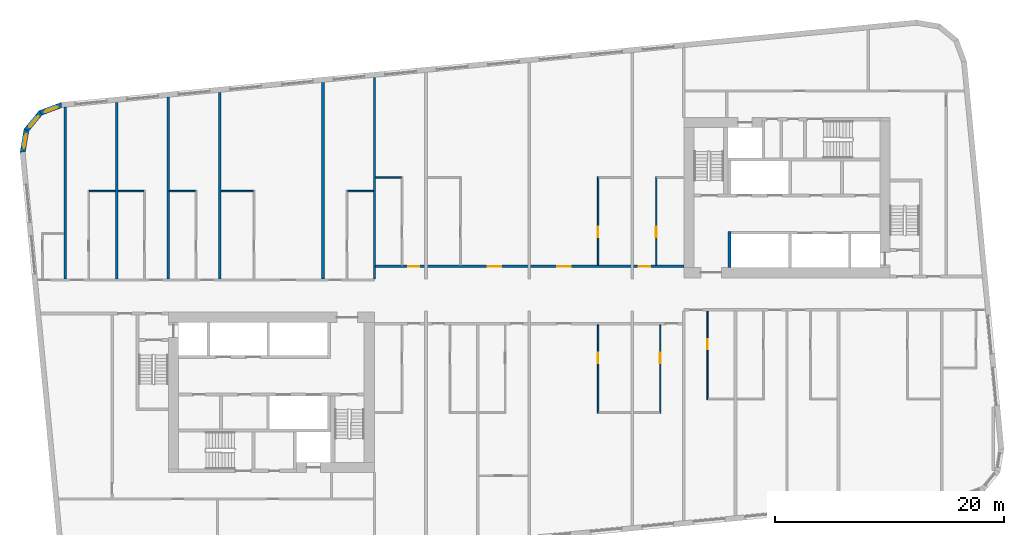
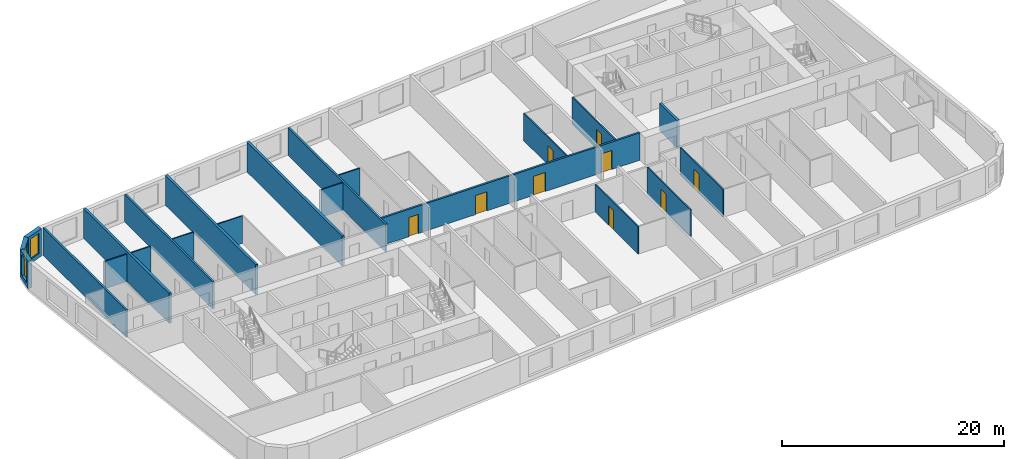
# One storey, part 5 of 12: 22 walls, 9 doors, 3 windows, 12 openings.
"""IFC4 building model written with IfcOpenShell, lengths in metres."""

from ifc_helpers import new_model, si_unit, direction, frame, frame_2d, origin, place, context, subcontext, project, spatial, polyline, rectangle, outline, extrude, material, layer, layer_set, type_object, element, fill, save


model = new_model("IFC4")

# Units and contexts
model_context = context("Model", 3, precision=1e-05, world=origin(), true_north=direction((0.0, 1.0)))
body_context = subcontext(model_context, "Body", "Model", "MODEL_VIEW")
ifc_project = project(units=[si_unit("LENGTHUNIT", "METRE"), si_unit("AREAUNIT", "SQUARE_METRE"), si_unit("VOLUMEUNIT", "CUBIC_METRE"), si_unit("PLANEANGLEUNIT", "RADIAN"), si_unit("MASSUNIT", "GRAM", prefix="KILO")], contexts=[model_context])

# Site, building, storey
site_placement = place(None, origin())
site = spatial("IfcSite", under=ifc_project, at=site_placement, CompositionType="ELEMENT")
building_placement = place(site_placement, origin())
building = spatial("IfcBuilding", under=site, at=building_placement, Name="Kajstack Hotel Tower", CompositionType="ELEMENT")
storey_placement = place(building_placement, frame((0.0, 0.0, 199.89990234375)))
storey = spatial("IfcBuildingStorey", under=building, at=storey_placement, Name="L48", CompositionType="ELEMENT", Elevation=199.89990234375)

# Wall, openings, doors
ifc_material_1 = material(Name="Gypsum board on steel studs, mineral wool", Category="steel")
ifc_layer_1 = layer(ifc_material_1, 0.199951171875)
ifc_layer_set_1 = layer_set([ifc_layer_1], Name="Corridor wall 200")
wall_type_1 = type_object("IfcWallType", Name="Corridor wall 200", PredefinedType="PARTITIONING", material=ifc_layer_set_1)
wall_1_placement = place(storey_placement, frame((-13.5, 2.5, 0.0), z_axis=(0.0, 0.0, 1.0), x_axis=(1.0, 0.0, 0.0)))
wall_1 = element("IfcWall", 1, at=wall_1_placement, inside=storey, type_object=wall_type_1, Name="G-wall-L48-004", PredefinedType="PARTITIONING", context=body_context, shape_type="SweptSolid", body=[
    extrude(rectangle(XDim=27.0, YDim=0.199951171875, at=frame_2d((13.5, 0.0))), origin(), (0.0, 0.0, 1.0), 3.02001953125),
])
opening_1_placement = place(wall_1_placement, frame((2.925048828125, 0.0, 0.0)))
opening_1 = element("IfcOpeningElement", 2, at=opening_1_placement, cuts=wall_1, Name="Opening 48013", PredefinedType="OPENING", context=body_context, shape_type="SweptSolid", body=[
    extrude(rectangle(XDim=1.0, YDim=2.10009765625, at=frame_2d((0.5, 1.050048828125))), frame((0.0, 0.10986328125, 0.0), z_axis=(0.0, -1.0, 0.0), x_axis=(1.0, 0.0, 0.0)), (0.0, 0.0, 1.0), 0.219970703125),
])
opening_2_placement = place(wall_1_placement, frame((9.863037109375, 0.0, 0.0)))
opening_2 = element("IfcOpeningElement", 3, at=opening_2_placement, cuts=wall_1, Name="Opening 48015", PredefinedType="OPENING", context=body_context, shape_type="SweptSolid", body=[
    extrude(rectangle(XDim=1.199951171875, YDim=2.10009765625, at=frame_2d((0.60009765625, 1.050048828125))), frame((0.0, 0.10986328125, 0.0), z_axis=(0.0, -1.0, 0.0), x_axis=(1.0, 0.0, 0.0)), (0.0, 0.0, 1.0), 0.219970703125),
])
opening_3_placement = place(wall_1_placement, frame((15.93798828125, 0.0, 0.0)))
opening_3 = element("IfcOpeningElement", 4, at=opening_3_placement, cuts=wall_1, Name="Opening 48017", PredefinedType="OPENING", context=body_context, shape_type="SweptSolid", body=[
    extrude(rectangle(XDim=1.199951171875, YDim=2.10009765625, at=frame_2d((0.60009765625, 1.050048828125))), frame((0.0, 0.10986328125, 0.0), z_axis=(0.0, -1.0, 0.0), x_axis=(1.0, 0.0, 0.0)), (0.0, 0.0, 1.0), 0.219970703125),
])
opening_4_placement = place(wall_1_placement, frame((23.074951171875, 0.0, 0.0)))
opening_4 = element("IfcOpeningElement", 5, at=opening_4_placement, cuts=wall_1, Name="Opening 48019", PredefinedType="OPENING", context=body_context, shape_type="SweptSolid", body=[
    extrude(rectangle(XDim=1.0, YDim=2.10009765625, at=frame_2d((0.5, 1.050048828125))), frame((0.0, 0.10986328125, 0.0), z_axis=(0.0, -1.0, 0.0), x_axis=(1.0, 0.0, 0.0)), (0.0, 0.0, 1.0), 0.219970703125),
])
ifc_material_2 = material(Name="Oak veneer on timber core, fire-rated leaf", Category="wood")
door_type_1 = type_object("IfcDoorType", Name="Flat entrance door 1000", OperationType="SINGLE_SWING_LEFT", PredefinedType="DOOR", material=ifc_material_2)
door_1_placement = place(opening_1_placement, origin())
door_1 = element("IfcDoor", 6, at=door_1_placement, inside=storey, type_object=door_type_1, Name="G-door-L48-13", OperationType="SINGLE_SWING_RIGHT", OverallHeight=2.10009765625, OverallWidth=1.0, PredefinedType="DOOR", context=body_context, shape_type="SweptSolid", body=[
    extrude(rectangle(XDim=1.0, YDim=2.10009765625, at=frame_2d((0.5, 1.050048828125))), frame((0.0, 0.02490234375, 0.0), z_axis=(0.0, -1.0, 0.0), x_axis=(1.0, 0.0, 0.0)), (0.0, 0.0, 1.0), 0.050048828125),
])
fill(opening_1, door_1)
door_2_placement = place(opening_4_placement, origin())
door_2 = element("IfcDoor", 7, at=door_2_placement, inside=storey, type_object=door_type_1, Name="G-door-L48-19", OperationType="SINGLE_SWING_RIGHT", OverallHeight=2.10009765625, OverallWidth=1.0, PredefinedType="DOOR", context=body_context, shape_type="SweptSolid", body=[
    extrude(rectangle(XDim=1.0, YDim=2.10009765625, at=frame_2d((0.5, 1.050048828125))), frame((0.0, 0.02490234375, 0.0), z_axis=(0.0, -1.0, 0.0), x_axis=(1.0, 0.0, 0.0)), (0.0, 0.0, 1.0), 0.050048828125),
])
fill(opening_4, door_2)
door_type_2 = type_object("IfcDoorType", Name="Flat entrance door 1200", OperationType="SINGLE_SWING_LEFT", PredefinedType="DOOR", material=ifc_material_2)
door_3_placement = place(opening_2_placement, origin())
door_3 = element("IfcDoor", 8, at=door_3_placement, inside=storey, type_object=door_type_2, Name="G-door-L48-15", OperationType="SINGLE_SWING_RIGHT", OverallHeight=2.10009765625, OverallWidth=1.199951171875, PredefinedType="DOOR", context=body_context, shape_type="SweptSolid", body=[
    extrude(rectangle(XDim=1.199951171875, YDim=2.10009765625, at=frame_2d((0.60009765625, 1.050048828125))), frame((0.0, 0.02490234375, 0.0), z_axis=(0.0, -1.0, 0.0), x_axis=(1.0, 0.0, 0.0)), (0.0, 0.0, 1.0), 0.050048828125),
])
fill(opening_2, door_3)
door_4_placement = place(opening_3_placement, origin())
door_4 = element("IfcDoor", 9, at=door_4_placement, inside=storey, type_object=door_type_2, Name="G-door-L48-17", OperationType="SINGLE_SWING_RIGHT", OverallHeight=2.10009765625, OverallWidth=1.199951171875, PredefinedType="DOOR", context=body_context, shape_type="SweptSolid", body=[
    extrude(rectangle(XDim=1.199951171875, YDim=2.10009765625, at=frame_2d((0.60009765625, 1.050048828125))), frame((0.0, 0.02490234375, 0.0), z_axis=(0.0, -1.0, 0.0), x_axis=(1.0, 0.0, 0.0)), (0.0, 0.0, 1.0), 0.050048828125),
])
fill(opening_3, door_4)

# Walls
ifc_material_3 = material(Name="Twin-frame gypsum board on steel studs, mineral wool", Category="steel")
ifc_layer_2 = layer(ifc_material_3, 0.199951171875)
ifc_layer_set_2 = layer_set([ifc_layer_2], Name="Demising wall 200")
wall_type_2 = type_object("IfcWallType", Name="Demising wall 200", PredefinedType="PARTITIONING", material=ifc_layer_set_2)
wall_2_placement = place(storey_placement, frame((-40.5, 1.39990234375, 0.0), z_axis=(0.0, 0.0, 1.0), x_axis=(0.0, 1.0, 0.0)))
element("IfcWall", 10, at=wall_2_placement, inside=storey, type_object=wall_type_2, Name="G-wall-L48-005", PredefinedType="PARTITIONING", context=body_context, shape_type="SweptSolid", body=[
    extrude(rectangle(XDim=14.989990234375, YDim=0.199951171875, at=frame_2d((7.4951171875, 0.0))), origin(), (0.0, 0.0, 1.0), 3.02001953125),
])
wall_3_placement = place(storey_placement, frame((-31.5, 1.39990234375, 0.0), z_axis=(0.0, 0.0, 1.0), x_axis=(0.0, 1.0, 0.0)))
element("IfcWall", 11, at=wall_3_placement, inside=storey, type_object=wall_type_2, Name="G-wall-L48-010", PredefinedType="PARTITIONING", context=body_context, shape_type="SweptSolid", body=[
    extrude(rectangle(XDim=15.856201171875, YDim=0.199951171875, at=frame_2d((7.92822265625, 0.0))), origin(), (0.0, 0.0, 1.0), 3.02001953125),
])
wall_4_placement = place(storey_placement, frame((-13.5, 1.39990234375, 0.0), z_axis=(0.0, 0.0, 1.0), x_axis=(0.0, 1.0, 0.0)))
element("IfcWall", 12, at=wall_4_placement, inside=storey, type_object=wall_type_2, Name="G-wall-L48-017", PredefinedType="PARTITIONING", context=body_context, shape_type="SweptSolid", body=[
    extrude(rectangle(XDim=17.590087890625, YDim=0.199951171875, at=frame_2d((8.794921875, 0.0))), origin(), (0.0, 0.0, 1.0), 3.02001953125),
])

# Wall, opening, window
ifc_material_4 = material(Name="Terracotta-faced brick masonry", Category="masonry")
ifc_layer_3 = layer(ifc_material_4, 0.449951171875)
ifc_layer_set_3 = layer_set([ifc_layer_3], Name="EW-TERRA")
wall_type_3 = type_object("IfcWallType", Name="EW-TERRA", PredefinedType="SOLIDWALL", material=ifc_layer_set_3)
wall_5_placement = place(storey_placement, frame((-40.76123046875, 16.598388671875, 0.0), z_axis=(0.0, 0.0, 1.0), x_axis=(-0.936677599948, -0.350192909346, 0.0)))
wall_5 = element("IfcWall", 13, at=wall_5_placement, inside=storey, type_object=wall_type_3, Name="E-wall-L48-13-00", PredefinedType="SOLIDWALL", context=body_context, shape_type="SweptSolid", body=[
    extrude(outline(polyline([(0.0, -0.22509765625), (2.070556640625, -0.224853515625), (1.949951171875, 0.22509765625), (0.12060546875, 0.22509765625), (0.0, -0.22509765625)])), origin(), (0.0, 0.0, 1.0), 3.02001953125),
])
opening_5_placement = place(wall_5_placement, frame((0.435302734375, 0.0, 0.449951171875)))
opening_5 = element("IfcOpeningElement", 14, at=opening_5_placement, cuts=wall_5, Name="Opening W3", PredefinedType="OPENING", context=body_context, shape_type="SweptSolid", body=[
    extrude(rectangle(XDim=1.199951171875, YDim=2.25, at=frame_2d((0.60009765625, 1.125))), frame((0.0, 0.23486328125, 0.0), z_axis=(0.0, -1.0, 0.0), x_axis=(1.0, 0.0, 0.0)), (0.0, 0.0, 1.0), 0.469970703125),
])
ifc_material_5 = material(Name="Timber-aluminium window, triple glazed", Category="wood")
window_type = type_object("IfcWindowType", Name="WG3", PartitioningType="SINGLE_PANEL", PredefinedType="WINDOW", material=ifc_material_5)
window_1_placement = place(opening_5_placement, origin())
window_1 = element("IfcWindow", 15, at=window_1_placement, inside=storey, type_object=window_type, Name="Window W3 L48-13", OverallHeight=2.25, OverallWidth=1.199951171875, PartitioningType="SINGLE_PANEL", PredefinedType="WINDOW", context=body_context, shape_type="SweptSolid", body=[
    extrude(rectangle(XDim=1.199951171875, YDim=2.25, at=frame_2d((0.60009765625, 1.125))), frame((0.0, 0.090087890625, 0.0), z_axis=(0.0, -1.0, 0.0), x_axis=(1.0, 0.0, 0.0)), (0.0, 0.0, 1.0), 0.06005859375),
])
fill(opening_5, window_1)

wall_6_placement = place(storey_placement, frame((-42.60595703125, 15.94091796875, 0.0), z_axis=(0.0, 0.0, 1.0), x_axis=(-0.636116318187, -0.771593176315, 0.0)))
wall_6 = element("IfcWall", 16, at=wall_6_placement, inside=storey, type_object=wall_type_3, Name="E-wall-L48-14-00", PredefinedType="SOLIDWALL", context=body_context, shape_type="SweptSolid", body=[
    extrude(outline(polyline([(0.0, -0.224853515625), (2.070556640625, -0.224853515625), (1.949951171875, 0.22509765625), (0.12060546875, 0.22509765625), (0.0, -0.224853515625)])), origin(), (0.0, 0.0, 1.0), 3.02001953125),
])
opening_6_placement = place(wall_6_placement, frame((0.435302734375, 0.0, 0.449951171875)))
opening_6 = element("IfcOpeningElement", 17, at=opening_6_placement, cuts=wall_6, Name="Opening W3", PredefinedType="OPENING", context=body_context, shape_type="SweptSolid", body=[
    extrude(rectangle(XDim=1.199951171875, YDim=2.25, at=frame_2d((0.60009765625, 1.125))), frame((0.0, 0.23486328125, 0.0), z_axis=(0.0, -1.0, 0.0), x_axis=(1.0, 0.0, 0.0)), (0.0, 0.0, 1.0), 0.469970703125),
])
window_2_placement = place(opening_6_placement, origin())
window_2 = element("IfcWindow", 18, at=window_2_placement, inside=storey, type_object=window_type, Name="Window W3 L48-14", OverallHeight=2.25, OverallWidth=1.199951171875, PartitioningType="SINGLE_PANEL", PredefinedType="WINDOW", context=body_context, shape_type="SweptSolid", body=[
    extrude(rectangle(XDim=1.199951171875, YDim=2.25, at=frame_2d((0.60009765625, 1.125))), frame((0.0, 0.090087890625, 0.0), z_axis=(0.0, -1.0, 0.0), x_axis=(1.0, 0.0, 0.0)), (0.0, 0.0, 1.0), 0.06005859375),
])
fill(opening_6, window_2)

wall_7_placement = place(storey_placement, frame((-43.874755859375, 14.44921875, 0.0), z_axis=(0.0, 0.0, 1.0), x_axis=(-0.164953448126, -0.986301353518, 0.0)))
wall_7 = element("IfcWall", 19, at=wall_7_placement, inside=storey, type_object=wall_type_3, Name="E-wall-L48-15-00", PredefinedType="SOLIDWALL", context=body_context, shape_type="SweptSolid", body=[
    extrude(outline(polyline([(0.0, -0.224853515625), (2.070556640625, -0.22509765625), (1.9501953125, 0.224853515625), (0.12060546875, 0.22509765625), (0.0, -0.224853515625)])), origin(), (0.0, 0.0, 1.0), 3.02001953125),
])
opening_7_placement = place(wall_7_placement, frame((0.435302734375, 0.0, 0.449951171875)))
opening_7 = element("IfcOpeningElement", 20, at=opening_7_placement, cuts=wall_7, Name="Opening W3", PredefinedType="OPENING", context=body_context, shape_type="SweptSolid", body=[
    extrude(rectangle(XDim=1.199951171875, YDim=2.25, at=frame_2d((0.60009765625, 1.125))), frame((0.0, 0.23486328125, 0.0), z_axis=(0.0, -1.0, 0.0), x_axis=(1.0, 0.0, 0.0)), (0.0, 0.0, 1.0), 0.469970703125),
])
window_3_placement = place(opening_7_placement, origin())
window_3 = element("IfcWindow", 21, at=window_3_placement, inside=storey, type_object=window_type, Name="Window W3 L48-15", OverallHeight=2.25, OverallWidth=1.199951171875, PartitioningType="SINGLE_PANEL", PredefinedType="WINDOW", context=body_context, shape_type="SweptSolid", body=[
    extrude(rectangle(XDim=1.199951171875, YDim=2.25, at=frame_2d((0.60009765625, 1.125))), frame((0.0, 0.090087890625, 0.0), z_axis=(0.0, -1.0, 0.0), x_axis=(1.0, 0.0, 0.0)), (0.0, 0.0, 1.0), 0.06005859375),
])
fill(opening_7, window_3)

# Walls
ifc_material_6 = material(Name="Gypsum board and tiled backer on steel studs", Category="steel")
ifc_layer_4 = layer(ifc_material_6, 0.125)
ifc_layer_set_4 = layer_set([ifc_layer_4], Name="En-suite wall 125")
wall_type_4 = type_object("IfcWallType", Name="En-suite wall 125", PredefinedType="PARTITIONING", material=ifc_layer_set_4)
for number, where, z_axis, x_axis, name in (
    (22, (-38.375, 9.06201171875, 0.0), (0.0, 0.0, 1.0), (1.0, 0.0, 0.0), "G-wall-L48-009"),
    (23, (-35.875, 9.06201171875, 0.0), (0.0, 0.0, 1.0), (1.0, 0.0, 0.0), "G-wall-L48-012"),
    (24, (-31.39990234375, 9.06201171875, 0.0), (0.0, 0.0, 1.0), (1.0, 0.0, 0.0), "G-wall-L48-014"),
):
    element("IfcWall", number, at=place(storey_placement, frame(where, z_axis=z_axis, x_axis=x_axis)), inside=storey, type_object=wall_type_4, Name=name, PredefinedType="PARTITIONING", context=body_context, shape_type="SweptSolid", body=[
        extrude(rectangle(XDim=2.25, YDim=0.125, at=frame_2d((1.125, 0.0))), origin(), (0.0, 0.0, 1.0), 3.02001953125),
    ])
wall_8_placement = place(storey_placement, frame((-26.875, 9.06201171875, 0.0), z_axis=(0.0, 0.0, 1.0), x_axis=(1.0, 0.0, 0.0)))
element("IfcWall", 25, at=wall_8_placement, inside=storey, type_object=wall_type_4, Name="G-wall-L48-016", PredefinedType="PARTITIONING", context=body_context, shape_type="SweptSolid", body=[
    extrude(rectangle(XDim=2.800048828125, YDim=0.125, at=frame_2d((1.39990234375, 0.0))), origin(), (0.0, 0.0, 1.0), 3.02001953125),
])
for number, where, z_axis, x_axis, name in (
    (26, (-15.85009765625, 9.06201171875, 0.0), (0.0, 0.0, 1.0), (1.0, 0.0, 0.0), "G-wall-L48-019"),
    (27, (-13.39990234375, 10.261962890625, 0.0), (0.0, 0.0, 1.0), (1.0, 0.0, 0.0), "G-wall-L48-021"),
):
    element("IfcWall", number, at=place(storey_placement, frame(where, z_axis=z_axis, x_axis=x_axis)), inside=storey, type_object=wall_type_4, Name=name, PredefinedType="PARTITIONING", context=body_context, shape_type="SweptSolid", body=[
        extrude(rectangle(XDim=2.25, YDim=0.125, at=frame_2d((1.125, 0.0))), origin(), (0.0, 0.0, 1.0), 3.02001953125),
    ])

# Wall, opening, door
wall_9_placement = place(storey_placement, frame((6.012939453125, 2.60009765625, 0.0), z_axis=(0.0, 0.0, 1.0), x_axis=(0.0, 1.0, 0.0)))
wall_9 = element("IfcWall", 28, at=wall_9_placement, inside=storey, type_object=wall_type_4, Name="G-wall-L48-024", PredefinedType="PARTITIONING", context=body_context, shape_type="SweptSolid", body=[
    extrude(rectangle(XDim=7.724853515625, YDim=0.125, at=frame_2d((3.8623046875, 0.0))), origin(), (0.0, 0.0, 1.0), 3.02001953125),
])
opening_8_placement = place(wall_9_placement, frame((2.449951171875, 0.0, 0.0)))
opening_8 = element("IfcOpeningElement", 29, at=opening_8_placement, cuts=wall_9, Name="Opening 48018", PredefinedType="OPENING", context=body_context, shape_type="SweptSolid", body=[
    extrude(rectangle(XDim=0.89990234375, YDim=2.10009765625, at=frame_2d((0.449951171875, 1.050048828125))), frame((0.0, 0.072509765625, 0.0), z_axis=(0.0, -1.0, 0.0), x_axis=(1.0, 0.0, 0.0)), (0.0, 0.0, 1.0), 0.14501953125),
])
ifc_material_7 = material(Name="Painted timber door leaf", Category="wood")
door_type_3 = type_object("IfcDoorType", Name="Room door 900", OperationType="SINGLE_SWING_LEFT", PredefinedType="DOOR", material=ifc_material_7)
door_5_placement = place(opening_8_placement, origin())
door_5 = element("IfcDoor", 30, at=door_5_placement, inside=storey, type_object=door_type_3, Name="G-door-L48-18", OperationType="SINGLE_SWING_LEFT", OverallHeight=2.10009765625, OverallWidth=0.89990234375, PredefinedType="DOOR", context=body_context, shape_type="SweptSolid", body=[
    extrude(rectangle(XDim=0.89990234375, YDim=2.10009765625, at=frame_2d((0.449951171875, 1.050048828125))), frame((0.0, 0.02490234375, 0.0), z_axis=(0.0, -1.0, 0.0), x_axis=(1.0, 0.0, 0.0)), (0.0, 0.0, 1.0), 0.050048828125),
])
fill(opening_8, door_5)

wall_10_placement = place(storey_placement, frame((11.087890625, 2.60009765625, 0.0), z_axis=(0.0, 0.0, 1.0), x_axis=(0.0, 1.0, 0.0)))
wall_10 = element("IfcWall", 31, at=wall_10_placement, inside=storey, type_object=wall_type_4, Name="G-wall-L48-026", PredefinedType="PARTITIONING", context=body_context, shape_type="SweptSolid", body=[
    extrude(rectangle(XDim=7.724853515625, YDim=0.125, at=frame_2d((3.8623046875, 0.0))), origin(), (0.0, 0.0, 1.0), 3.02001953125),
])
opening_9_placement = place(wall_10_placement, frame((2.449951171875, 0.0, 0.0)))
opening_9 = element("IfcOpeningElement", 32, at=opening_9_placement, cuts=wall_10, Name="Opening 48020", PredefinedType="OPENING", context=body_context, shape_type="SweptSolid", body=[
    extrude(rectangle(XDim=0.89990234375, YDim=2.10009765625, at=frame_2d((0.449951171875, 1.050048828125))), frame((0.0, 0.072509765625, 0.0), z_axis=(0.0, -1.0, 0.0), x_axis=(1.0, 0.0, 0.0)), (0.0, 0.0, 1.0), 0.14501953125),
])
door_6_placement = place(opening_9_placement, origin())
door_6 = element("IfcDoor", 33, at=door_6_placement, inside=storey, type_object=door_type_3, Name="G-door-L48-20", OperationType="SINGLE_SWING_RIGHT", OverallHeight=2.10009765625, OverallWidth=0.89990234375, PredefinedType="DOOR", context=body_context, shape_type="SweptSolid", body=[
    extrude(rectangle(XDim=0.89990234375, YDim=2.10009765625, at=frame_2d((0.449951171875, 1.050048828125))), frame((0.0, 0.02490234375, 0.0), z_axis=(0.0, -1.0, 0.0), x_axis=(1.0, 0.0, 0.0)), (0.0, 0.0, 1.0), 0.050048828125),
])
fill(opening_9, door_6)

wall_11_placement = place(storey_placement, frame((6.012939453125, -10.324951171875, 0.0), z_axis=(0.0, 0.0, 1.0), x_axis=(0.0, 1.0, 0.0)))
wall_11 = element("IfcWall", 34, at=wall_11_placement, inside=storey, type_object=wall_type_4, Name="G-wall-L48-038", PredefinedType="PARTITIONING", context=body_context, shape_type="SweptSolid", body=[
    extrude(rectangle(XDim=7.724853515625, YDim=0.125, at=frame_2d((3.8623046875, 0.0))), origin(), (0.0, 0.0, 1.0), 3.02001953125),
])
opening_10_placement = place(wall_11_placement, frame((4.375, 0.0, 0.0)))
opening_10 = element("IfcOpeningElement", 35, at=opening_10_placement, cuts=wall_11, Name="Opening 48029", PredefinedType="OPENING", context=body_context, shape_type="SweptSolid", body=[
    extrude(rectangle(XDim=0.89990234375, YDim=2.10009765625, at=frame_2d((0.449951171875, 1.050048828125))), frame((0.0, 0.072509765625, 0.0), z_axis=(0.0, -1.0, 0.0), x_axis=(1.0, 0.0, 0.0)), (0.0, 0.0, 1.0), 0.14501953125),
])
door_7_placement = place(opening_10_placement, origin())
door_7 = element("IfcDoor", 36, at=door_7_placement, inside=storey, type_object=door_type_3, Name="G-door-L48-29", OperationType="SINGLE_SWING_RIGHT", OverallHeight=2.10009765625, OverallWidth=0.89990234375, PredefinedType="DOOR", context=body_context, shape_type="SweptSolid", body=[
    extrude(rectangle(XDim=0.89990234375, YDim=2.10009765625, at=frame_2d((0.449951171875, 1.050048828125))), frame((0.0, 0.02490234375, 0.0), z_axis=(0.0, -1.0, 0.0), x_axis=(1.0, 0.0, 0.0)), (0.0, 0.0, 1.0), 0.050048828125),
])
fill(opening_10, door_7)

wall_12_placement = place(storey_placement, frame((11.43798828125, -10.324951171875, 0.0), z_axis=(0.0, 0.0, 1.0), x_axis=(0.0, 1.0, 0.0)))
wall_12 = element("IfcWall", 37, at=wall_12_placement, inside=storey, type_object=wall_type_4, Name="G-wall-L48-041", PredefinedType="PARTITIONING", context=body_context, shape_type="SweptSolid", body=[
    extrude(rectangle(XDim=7.724853515625, YDim=0.125, at=frame_2d((3.8623046875, 0.0))), origin(), (0.0, 0.0, 1.0), 3.02001953125),
])
opening_11_placement = place(wall_12_placement, frame((4.375, 0.0, 0.0)))
opening_11 = element("IfcOpeningElement", 38, at=opening_11_placement, cuts=wall_12, Name="Opening 48031", PredefinedType="OPENING", context=body_context, shape_type="SweptSolid", body=[
    extrude(rectangle(XDim=0.89990234375, YDim=2.10009765625, at=frame_2d((0.449951171875, 1.050048828125))), frame((0.0, 0.072509765625, 0.0), z_axis=(0.0, -1.0, 0.0), x_axis=(1.0, 0.0, 0.0)), (0.0, 0.0, 1.0), 0.14501953125),
])
door_8_placement = place(opening_11_placement, origin())
door_8 = element("IfcDoor", 39, at=door_8_placement, inside=storey, type_object=door_type_3, Name="G-door-L48-31", OperationType="SINGLE_SWING_RIGHT", OverallHeight=2.10009765625, OverallWidth=0.89990234375, PredefinedType="DOOR", context=body_context, shape_type="SweptSolid", body=[
    extrude(rectangle(XDim=0.89990234375, YDim=2.10009765625, at=frame_2d((0.449951171875, 1.050048828125))), frame((0.0, 0.02490234375, 0.0), z_axis=(0.0, -1.0, 0.0), x_axis=(1.0, 0.0, 0.0)), (0.0, 0.0, 1.0), 0.050048828125),
])
fill(opening_11, door_8)

wall_13_placement = place(storey_placement, frame((15.56201171875, -9.125, 0.0), z_axis=(0.0, 0.0, 1.0), x_axis=(0.0, 1.0, 0.0)))
wall_13 = element("IfcWall", 40, at=wall_13_placement, inside=storey, type_object=wall_type_4, Name="G-wall-L48-043", PredefinedType="PARTITIONING", context=body_context, shape_type="SweptSolid", body=[
    extrude(rectangle(XDim=7.72509765625, YDim=0.125, at=frame_2d((3.862548828125, 0.0))), origin(), (0.0, 0.0, 1.0), 3.02001953125),
])
opening_12_placement = place(wall_13_placement, frame((4.375, 0.0, 0.0)))
opening_12 = element("IfcOpeningElement", 41, at=opening_12_placement, cuts=wall_13, Name="Opening 48033", PredefinedType="OPENING", context=body_context, shape_type="SweptSolid", body=[
    extrude(rectangle(XDim=0.89990234375, YDim=2.10009765625, at=frame_2d((0.449951171875, 1.050048828125))), frame((0.0, 0.072509765625, 0.0), z_axis=(0.0, -1.0, 0.0), x_axis=(1.0, 0.0, 0.0)), (0.0, 0.0, 1.0), 0.14501953125),
])
door_9_placement = place(opening_12_placement, origin())
door_9 = element("IfcDoor", 42, at=door_9_placement, inside=storey, type_object=door_type_3, Name="G-door-L48-33", OperationType="SINGLE_SWING_RIGHT", OverallHeight=2.10009765625, OverallWidth=0.89990234375, PredefinedType="DOOR", context=body_context, shape_type="SweptSolid", body=[
    extrude(rectangle(XDim=0.89990234375, YDim=2.10009765625, at=frame_2d((0.449951171875, 1.050048828125))), frame((0.0, 0.02490234375, 0.0), z_axis=(0.0, -1.0, 0.0), x_axis=(1.0, 0.0, 0.0)), (0.0, 0.0, 1.0), 0.050048828125),
])
fill(opening_12, door_9)

# Walls
ifc_material_8 = material(Name="Concrete C50/60", Category="concrete")
ifc_layer_5 = layer(ifc_material_8, 0.25)
ifc_layer_set_5 = layer_set([ifc_layer_5], Name="RC cross wall 250 C50/60")
wall_type_5 = type_object("IfcWallType", Name="RC cross wall 250 C50/60", PredefinedType="SHEAR", material=ifc_layer_set_5)
wall_14_placement = place(storey_placement, frame((-36.0, 1.39990234375, 0.0), z_axis=(0.0, 0.0, 1.0), x_axis=(0.0, 1.0, 0.0)))
element("IfcWall", 43, at=wall_14_placement, inside=storey, type_object=wall_type_5, Name="S-wall-L48-01", PredefinedType="SHEAR", context=body_context, shape_type="SweptSolid", body=[
    extrude(rectangle(XDim=15.401123046875, YDim=0.25, at=frame_2d((7.70068359375, 0.0))), origin(), (0.0, 0.0, 1.0), 3.300048828125),
])
wall_15_placement = place(storey_placement, frame((-27.0, 1.39990234375, 0.0), z_axis=(0.0, 0.0, 1.0), x_axis=(0.0, 1.0, 0.0)))
element("IfcWall", 44, at=wall_15_placement, inside=storey, type_object=wall_type_5, Name="S-wall-L48-02", PredefinedType="SHEAR", context=body_context, shape_type="SweptSolid", body=[
    extrude(rectangle(XDim=16.267578125, YDim=0.25, at=frame_2d((8.1337890625, 0.0))), origin(), (0.0, 0.0, 1.0), 3.300048828125),
])
wall_16_placement = place(storey_placement, frame((-18.0, 1.39990234375, 0.0), z_axis=(0.0, 0.0, 1.0), x_axis=(0.0, 1.0, 0.0)))
element("IfcWall", 45, at=wall_16_placement, inside=storey, type_object=wall_type_5, Name="S-wall-L48-03", PredefinedType="SHEAR", context=body_context, shape_type="SweptSolid", body=[
    extrude(rectangle(XDim=17.13427734375, YDim=0.25, at=frame_2d((8.567138671875, 0.0))), origin(), (0.0, 0.0, 1.0), 3.300048828125),
])
ifc_layer_6 = layer(ifc_material_8, 0.25)
ifc_layer_set_6 = layer_set([ifc_layer_6], Name="Shaft wall 250")
wall_type_6 = type_object("IfcWallType", Name="Shaft wall 250", PredefinedType="SHEAR", material=ifc_layer_set_6)
wall_17_placement = place(storey_placement, frame((17.47509765625, 2.39990234375, 0.0), z_axis=(0.0, 0.0, 1.0), x_axis=(0.0, 1.0, 0.0)))
element("IfcWall", 46, at=wall_17_placement, inside=storey, type_object=wall_type_6, Name="Core wall E AE", PredefinedType="SHEAR", context=body_context, shape_type="SweptSolid", body=[
    extrude(rectangle(XDim=3.150146484375, YDim=0.25, at=frame_2d((1.5751953125, 0.0))), origin(), (0.0, 0.0, 1.0), 3.02001953125),
])

save(model, "model.ifc")
